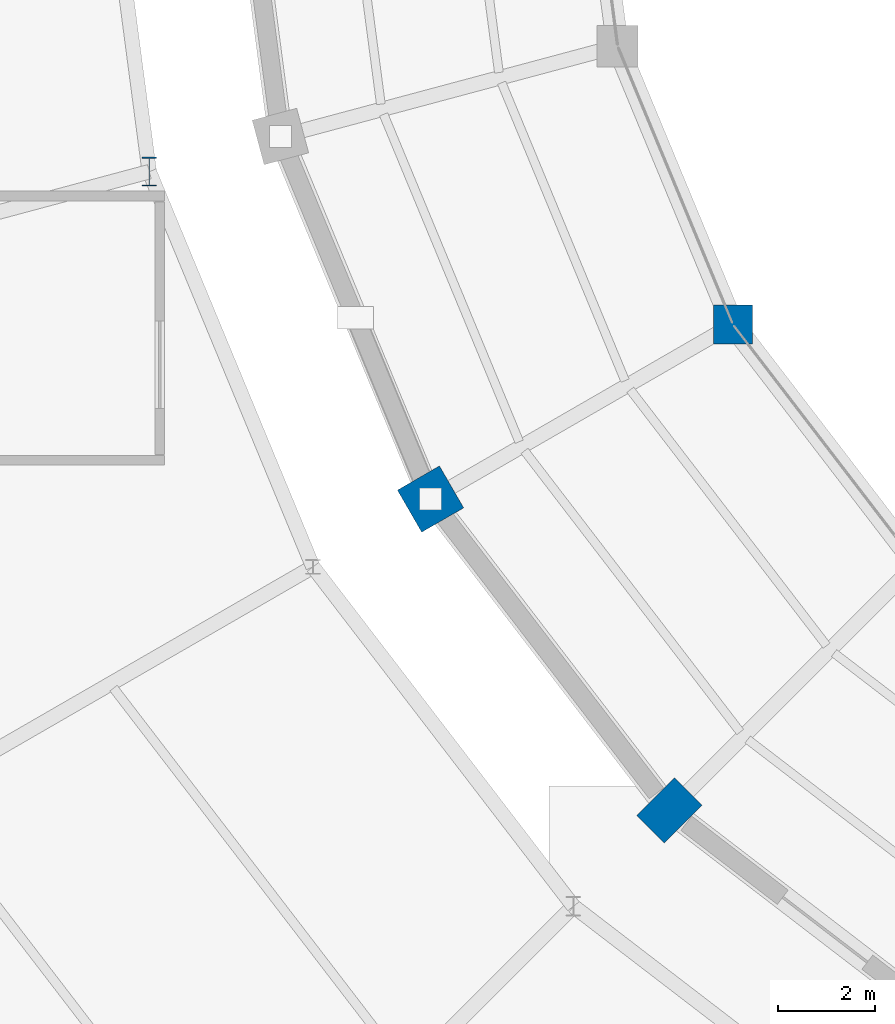
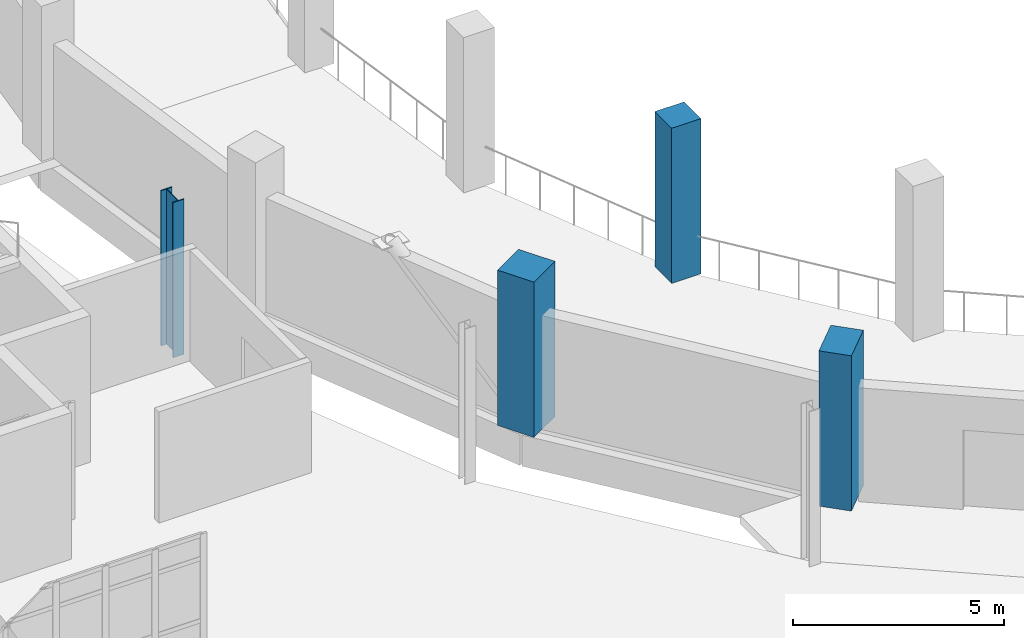
# One storey, part 4 of 125: 4 columns.
"""IFC4 building model written with IfcOpenShell, lengths in metres."""

from ifc_helpers import new_model, si_unit, direction, frame, origin, origin_2d, place, context, subcontext, project, spatial, rectangle, i_section, extrude, material, material_profile, profile_set, type_object, element, save


model = new_model("IFC4")

# Units and contexts
model_context = context("Model", 3, precision=1e-05, world=origin(), true_north=direction((0.0, 1.0)))
body_context = subcontext(model_context, "Body", "Model", "MODEL_VIEW")
ifc_project = project(units=[si_unit("LENGTHUNIT", "METRE"), si_unit("AREAUNIT", "SQUARE_METRE"), si_unit("VOLUMEUNIT", "CUBIC_METRE"), si_unit("PLANEANGLEUNIT", "RADIAN"), si_unit("MASSUNIT", "GRAM", prefix="KILO")], contexts=[model_context])

# Site, building, storey
site_placement = place(None, origin())
site = spatial("IfcSite", under=ifc_project, at=site_placement, CompositionType="ELEMENT")
building_placement = place(site_placement, origin())
building = spatial("IfcBuilding", under=site, at=building_placement, Name="Sohan Crest Arena", CompositionType="ELEMENT")
storey_placement = place(building_placement, frame((0.0, 0.0, 9.0)))
storey = spatial("IfcBuildingStorey", under=building, at=storey_placement, Name="L02", CompositionType="ELEMENT", Elevation=9.0)

# Columns
ifc_material_1 = material(Name="Concrete C40/50", Category="concrete")
ifc_material_profile_1 = material_profile(ifc_material_1, rectangle(XDim=0.800048828125, YDim=0.800048828125, at=origin_2d()), Name="RC 800x800")
ifc_profile_set_1 = profile_set([ifc_material_profile_1], Name="Concrete C40/50")
column_type_1 = type_object("IfcColumnType", Name="STR-COL-C05", PredefinedType="COLUMN", material=ifc_profile_set_1)
column_1_placement = place(storey_placement, frame((77.388916015625, 66.10009765625, 0.0), z_axis=(0.0, 0.0, 1.0), x_axis=(1.0, 0.0, 0.0)))
element("IfcColumn", 1, at=column_1_placement, inside=storey, type_object=column_type_1, Name="Structural column COL-V1M-09-L02", PredefinedType="COLUMN", context=body_context, shape_type="SweptSolid", body=[
    extrude(rectangle(XDim=0.800048828125, YDim=0.800048828125, at=origin_2d()), origin(), (0.0, 0.0, 1.0), 4.5),
])
ifc_material_profile_2 = material_profile(ifc_material_1, rectangle(XDim=1.0, YDim=1.0, at=origin_2d()), Name="RC 1000x1000")
ifc_profile_set_2 = profile_set([ifc_material_profile_2], Name="Concrete C40/50")
column_type_2 = type_object("IfcColumnType", Name="STR-COL-C09", PredefinedType="COLUMN", material=ifc_profile_set_2)
column_2_placement = place(storey_placement, frame((71.153076171875, 62.5, 0.0), z_axis=(0.0, 0.0, 1.0), x_axis=(0.866025403784, 0.5, 0.0)))
element("IfcColumn", 2, at=column_2_placement, inside=storey, type_object=column_type_2, Name="Structural column COL-V1R-09-L02", PredefinedType="COLUMN", context=body_context, shape_type="SweptSolid", body=[
    extrude(rectangle(XDim=1.0, YDim=1.0, at=origin_2d()), origin(), (0.0, 0.0, 1.0), 4.5),
])
ifc_material_profile_3 = material_profile(ifc_material_1, rectangle(XDim=1.10009765625, YDim=0.800048828125, at=origin_2d()), Name="RC 1100x800")
ifc_profile_set_3 = profile_set([ifc_material_profile_3], Name="Concrete C40/50")
column_type_3 = type_object("IfcColumnType", Name="STR-COL-C10", PredefinedType="COLUMN", material=ifc_profile_set_3)
column_3_placement = place(storey_placement, frame((76.080078125, 56.080078125, 0.0), z_axis=(0.0, 0.0, 1.0), x_axis=(0.707106781187, 0.707106781187, 0.0)))
element("IfcColumn", 3, at=column_3_placement, inside=storey, type_object=column_type_3, Name="Structural column COL-V1R-10-L02", PredefinedType="COLUMN", context=body_context, shape_type="SweptSolid", body=[
    extrude(rectangle(XDim=1.10009765625, YDim=0.800048828125, at=origin_2d()), origin(), (0.0, 0.0, 1.0), 4.5),
])
ifc_material_2 = material(Name="Steel S355", Category="steel")
ifc_material_profile_4 = material_profile(ifc_material_2, i_section(OverallWidth=0.300048828125, OverallDepth=0.60009765625, WebThickness=0.015380859375, FlangeThickness=0.030029296875, at=origin_2d()), Name="HEB 600")
ifc_profile_set_4 = profile_set([ifc_material_profile_4], Name="Steel S355")
column_type_4 = type_object("IfcColumnType", Name="STR-COL-C20", PredefinedType="COLUMN", material=ifc_profile_set_4)
column_4_placement = place(storey_placement, frame((65.35205078125, 69.251953125, 0.0), z_axis=(0.0, 0.0, 1.0), x_axis=(1.0, 0.0, 0.0)))
element("IfcColumn", 4, at=column_4_placement, inside=storey, type_object=column_type_4, Name="Structural column COL-V2I-08-L02", PredefinedType="COLUMN", context=body_context, shape_type="SweptSolid", body=[
    extrude(i_section(OverallWidth=0.300048828125, OverallDepth=0.60009765625, WebThickness=0.015380859375, FlangeThickness=0.030029296875, at=origin_2d()), origin(), (0.0, 0.0, 1.0), 4.5),
])

save(model, "model.ifc")
